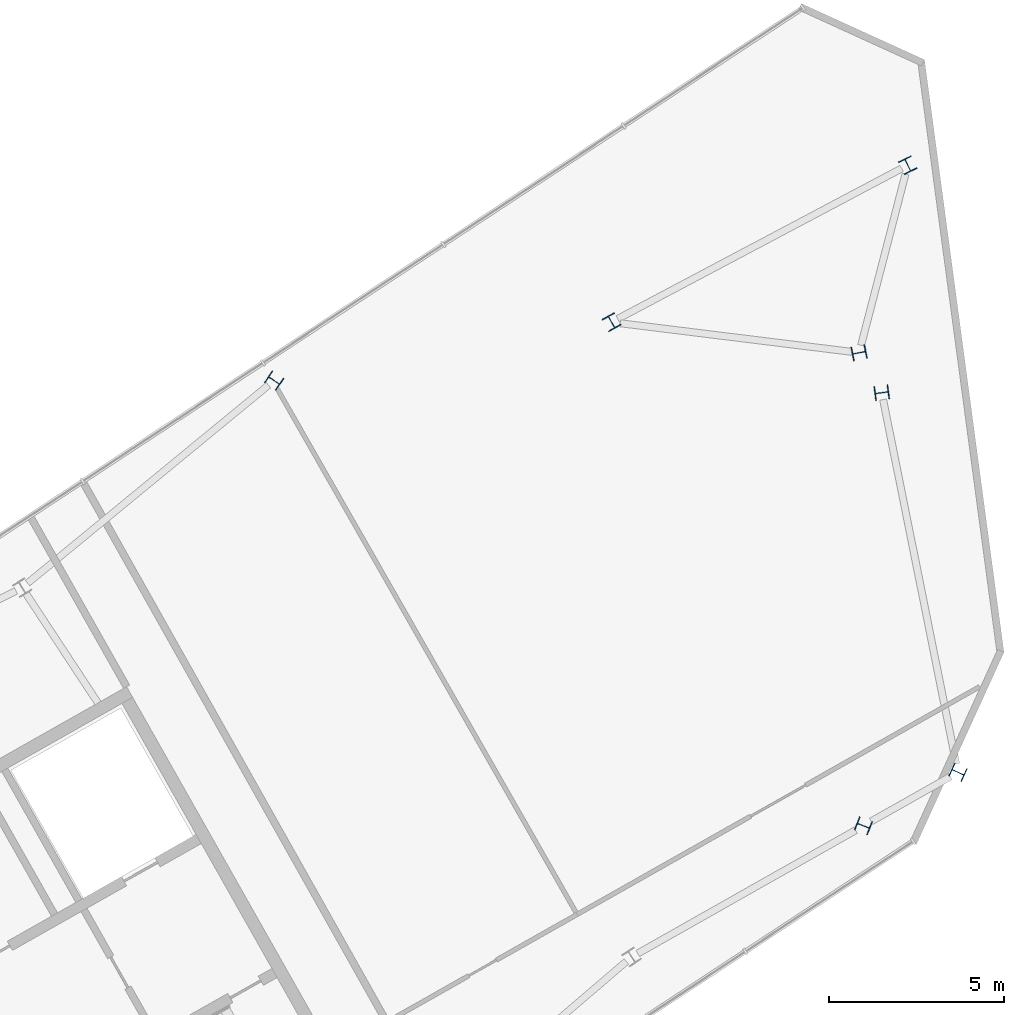
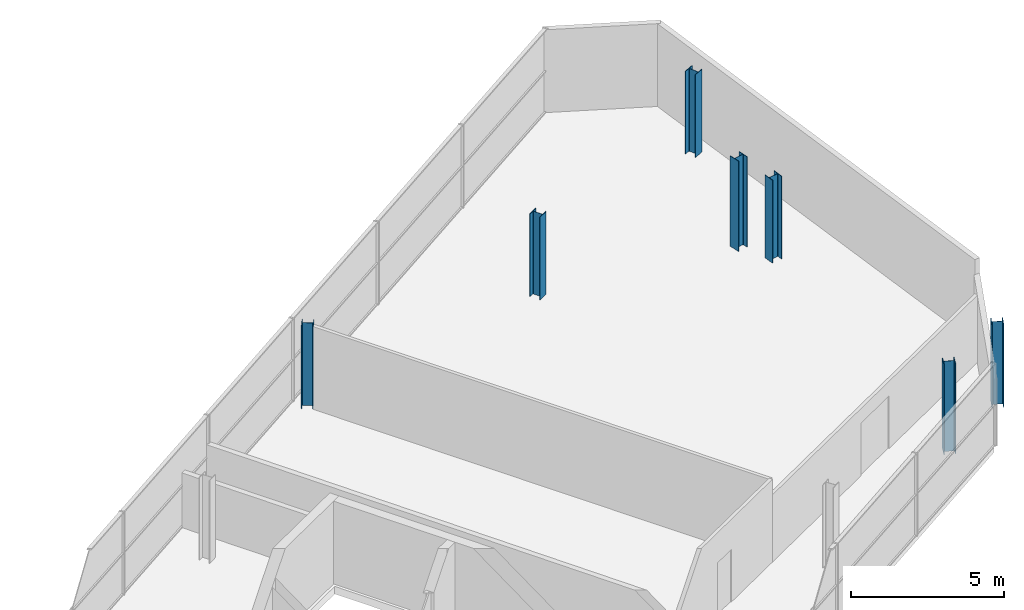
# One storey, part 2 of 8: 7 columns.
"""IFC4 building model written with IfcOpenShell, lengths in metres."""

from ifc_helpers import new_model, si_unit, direction, frame, origin, origin_2d, place, context, subcontext, project, spatial, i_section, extrude, material, material_profile, profile_set, type_object, element, save


model = new_model("IFC4")

# Units and contexts
model_context = context("Model", 3, precision=1e-05, world=origin(), true_north=direction((0.0, 1.0)))
body_context = subcontext(model_context, "Body", "Model", "MODEL_VIEW")
ifc_project = project(units=[si_unit("LENGTHUNIT", "METRE"), si_unit("AREAUNIT", "SQUARE_METRE"), si_unit("VOLUMEUNIT", "CUBIC_METRE"), si_unit("PLANEANGLEUNIT", "RADIAN"), si_unit("MASSUNIT", "GRAM", prefix="KILO")], contexts=[model_context])

# Site, building, storey
site_placement = place(None, origin())
site = spatial("IfcSite", under=ifc_project, at=site_placement, CompositionType="ELEMENT")
building_placement = place(site_placement, origin())
building = spatial("IfcBuilding", under=site, at=building_placement, Name="Binnacle Exchange Tower", CompositionType="ELEMENT")
storey_placement = place(building_placement, frame((0.0, 0.0, 357.699951171875)))
storey = spatial("IfcBuildingStorey", under=building, at=storey_placement, Name="L82", CompositionType="ELEMENT", Elevation=357.699951171875)

# Columns
ifc_material = material(Name="Steel S355 (SHN355)", Category="steel")
ifc_material_profile = material_profile(ifc_material, i_section(OverallWidth=0.39990234375, OverallDepth=0.39990234375, WebThickness=0.012939453125, FlangeThickness=0.02099609375, FilletRadius=0.02197265625, at=origin_2d()), Name="H 400x400x13x21")
ifc_profile_set = profile_set([ifc_material_profile], Name="Steel S355 (SHN355)")
column_type = type_object("IfcColumnType", Name="H 400x400x13x21", PredefinedType="COLUMN", material=ifc_profile_set)
for number, where, z_axis, x_axis, name in (
    (1, (-8.057861328125, 47.599365234375, 0.0), (0.0, 0.0, 1.0), (0.41501085379, 0.909816460192, 0.0), "S:COL:MC36:L82"),
    (2, (-10.236572265625, 58.4453125, 0.0), (0.0, 0.0, 1.0), (-0.132931058583, 0.991125286563, 0.0), "S:COL:MC39:L82"),
    (3, (-9.492431640625, 64.947021484375, 0.0), (0.0, 0.0, 1.0), (-0.897627929844, -0.440754012533, 0.0), "S:COL:MC37:L82"),
    (4, (-17.95703125, 60.461669921875, 0.0), (0.0, 0.0, 1.0), (0.87035569594, 0.492423560103, 0.0), "S:COL:MC28:L82"),
    (5, (-27.598388671875, 58.792724609375, 0.0), (0.0, 0.0, 1.0), (0.557658187238, 0.830070687475, 0.0), "S:COL:MC22:L82"),
):
    element("IfcColumn", number, at=place(storey_placement, frame(where, z_axis=z_axis, x_axis=x_axis)), inside=storey, type_object=column_type, Name=name, PredefinedType="COLUMN", context=body_context, shape_type="SweptSolid", body=[
        extrude(i_section(OverallWidth=0.39990234375, OverallDepth=0.39990234375, WebThickness=0.012939453125, FlangeThickness=0.02099609375, FilletRadius=0.02197265625, at=origin_2d()), origin(), (0.0, 0.0, 1.0), 3.300048828125),
    ])
for number, where, z_axis, x_axis, name in (
    (6, (-10.760009765625, 46.070556640625, 0.0), (0.0, 0.0, 1.0), (0.369033125724, 0.929416242659, 0.0), "S:COL:MC31:L82"),
    (7, (-10.88232421875, 59.5869140625, 0.0), (0.0, 0.0, 1.0), (-0.198666664019, 0.98006711842, 0.0), "S:COL:MC34:L82"),
):
    element("IfcColumn", number, at=place(storey_placement, frame(where, z_axis=z_axis, x_axis=x_axis)), inside=storey, type_object=column_type, Name=name, PredefinedType="COLUMN", context=body_context, shape_type="SweptSolid", body=[
        extrude(i_section(OverallWidth=0.39990234375, OverallDepth=0.39990234375, WebThickness=0.012939453125, FlangeThickness=0.02099609375, FilletRadius=0.02197265625, at=origin_2d()), origin(), (0.0, 0.0, 1.0), 3.60009765625),
    ])

save(model, "model.ifc")
